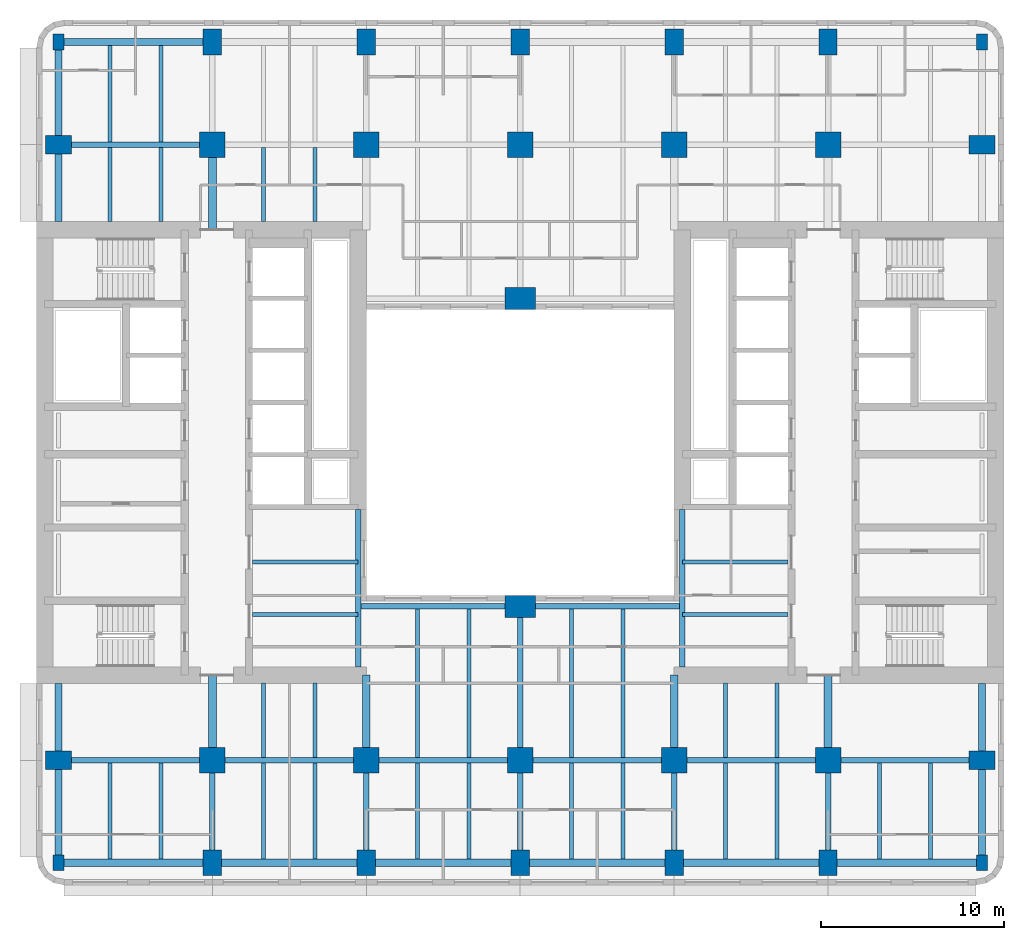
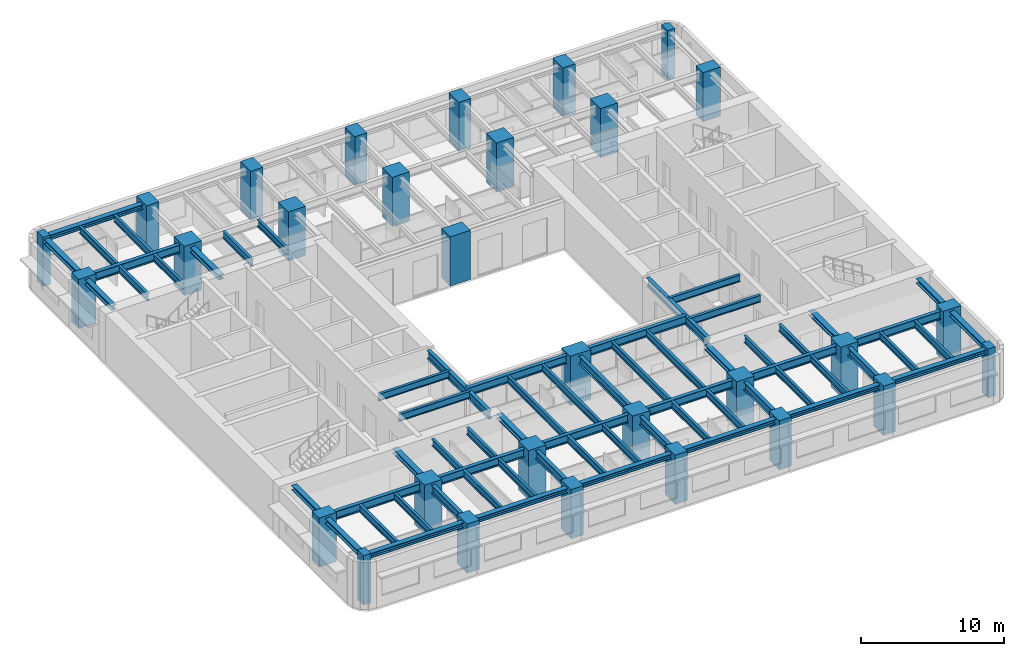
# One storey, part 1 of 11: 65 beams, 30 columns.
"""IFC4 building model written with IfcOpenShell, lengths in metres."""

from ifc_helpers import new_model, si_unit, direction, frame, origin, origin_2d, place, context, subcontext, project, spatial, rectangle, i_section, extrude, material, material_profile, profile_set, type_object, element, save


model = new_model("IFC4")

# Units and contexts
model_context = context("Model", 3, precision=1e-05, world=origin(), true_north=direction((0.0, 1.0)))
body_context = subcontext(model_context, "Body", "Model", "MODEL_VIEW")
ifc_project = project(units=[si_unit("LENGTHUNIT", "METRE"), si_unit("AREAUNIT", "SQUARE_METRE"), si_unit("VOLUMEUNIT", "CUBIC_METRE"), si_unit("PLANEANGLEUNIT", "RADIAN"), si_unit("MASSUNIT", "GRAM", prefix="KILO")], contexts=[model_context])

# Site, building, storey
site_placement = place(None, origin())
site = spatial("IfcSite", under=ifc_project, at=site_placement, CompositionType="ELEMENT")
building_placement = place(site_placement, origin())
building = spatial("IfcBuilding", under=site, at=building_placement, Name="Claustro Exchange Tower", CompositionType="ELEMENT")
storey_placement = place(building_placement, frame((0.0, 0.0, 163.800048828125)))
storey = spatial("IfcBuildingStorey", under=building, at=storey_placement, Name="L37", CompositionType="ELEMENT", Elevation=163.800048828125)

# Columns
ifc_material_1 = material(Name="Concrete HA-70 (C70/85)", Category="concrete")
ifc_material_profile_1 = material_profile(ifc_material_1, rectangle(XDim=1.39990234375, YDim=1.39990234375, at=origin_2d()), Name="RC 1400x1400")
ifc_profile_set_1 = profile_set([ifc_material_profile_1], Name="Concrete HA-70 (C70/85)")
column_type_1 = type_object("IfcColumnType", Name="C0 RC 1400x1400 HA-70 column", PredefinedType="COLUMN", material=ifc_profile_set_1)
for number, where, z_axis, x_axis, name in (
    (1, (8.39990234375, 8.39990234375, 0.0), (0.0, 0.0, 1.0), (1.0, 0.0, 0.0), "Column C0 2/B L37"),
    (2, (8.39990234375, 42.0, 0.0), (0.0, 0.0, 1.0), (1.0, 0.0, 0.0), "Column C0 2/F L37"),
    (3, (16.800048828125, 8.39990234375, 0.0), (0.0, 0.0, 1.0), (1.0, 0.0, 0.0), "Column C0 3/B L37"),
    (4, (16.800048828125, 42.0, 0.0), (0.0, 0.0, 1.0), (1.0, 0.0, 0.0), "Column C0 3/F L37"),
    (5, (25.199951171875, 8.39990234375, 0.0), (0.0, 0.0, 1.0), (1.0, 0.0, 0.0), "Column C0 4/B L37"),
    (6, (25.199951171875, 42.0, 0.0), (0.0, 0.0, 1.0), (1.0, 0.0, 0.0), "Column C0 4/F L37"),
    (7, (33.60009765625, 8.39990234375, 0.0), (0.0, 0.0, 1.0), (1.0, 0.0, 0.0), "Column C0 5/B L37"),
    (8, (33.60009765625, 42.0, 0.0), (0.0, 0.0, 1.0), (1.0, 0.0, 0.0), "Column C0 5/F L37"),
    (9, (42.0, 8.39990234375, 0.0), (0.0, 0.0, 1.0), (1.0, 0.0, 0.0), "Column C0 6/B L37"),
    (10, (42.0, 42.0, 0.0), (0.0, 0.0, 1.0), (1.0, 0.0, 0.0), "Column C0 6/F L37"),
):
    element("IfcColumn", number, at=place(storey_placement, frame(where, z_axis=z_axis, x_axis=x_axis)), inside=storey, type_object=column_type_1, Name=name, PredefinedType="COLUMN", context=body_context, shape_type="SweptSolid", body=[
        extrude(rectangle(XDim=1.39990234375, YDim=1.39990234375, at=origin_2d()), origin(), (0.0, 0.0, 1.0), 4.199951171875),
    ])
ifc_material_2 = material(Name="Concrete HA-70 (C70/85)", Category="concrete")
ifc_material_profile_2 = material_profile(ifc_material_2, rectangle(XDim=1.0, YDim=1.39990234375, at=origin_2d()), Name="RC 1000x1400")
ifc_profile_set_2 = profile_set([ifc_material_profile_2], Name="Concrete HA-70 (C70/85)")
column_type_2 = type_object("IfcColumnType", Name="C22 RC 1000x1400 HA-70 perimeter column", PredefinedType="COLUMN", material=ifc_profile_set_2)
for number, where, z_axis, x_axis, name in (
    (11, (0.0, 8.39990234375, 0.0), (0.0, 0.0, 1.0), (0.0, 1.0, 0.0), "Column C22 1/B L37"),
    (12, (0.0, 42.0, 0.0), (0.0, 0.0, 1.0), (0.0, 1.0, 0.0), "Column C22 1/F L37"),
    (13, (8.39990234375, 2.800048828125, 0.0), (0.0, 0.0, 1.0), (1.0, 0.0, 0.0), "Column C22 2/A+2800 L37"),
    (14, (8.39990234375, 47.60009765625, 0.0), (0.0, 0.0, 1.0), (1.0, 0.0, 0.0), "Column C22 2/F+5600 L37"),
    (15, (16.800048828125, 2.800048828125, 0.0), (0.0, 0.0, 1.0), (1.0, 0.0, 0.0), "Column C22 3/A+2800 L37"),
    (16, (16.800048828125, 47.60009765625, 0.0), (0.0, 0.0, 1.0), (1.0, 0.0, 0.0), "Column C22 3/F+5600 L37"),
    (17, (25.199951171875, 2.800048828125, 0.0), (0.0, 0.0, 1.0), (1.0, 0.0, 0.0), "Column C22 4/A+2800 L37"),
    (18, (25.199951171875, 47.60009765625, 0.0), (0.0, 0.0, 1.0), (1.0, 0.0, 0.0), "Column C22 4/F+5600 L37"),
    (19, (33.60009765625, 2.800048828125, 0.0), (0.0, 0.0, 1.0), (1.0, 0.0, 0.0), "Column C22 5/A+2800 L37"),
    (20, (33.60009765625, 47.60009765625, 0.0), (0.0, 0.0, 1.0), (1.0, 0.0, 0.0), "Column C22 5/F+5600 L37"),
    (21, (42.0, 2.800048828125, 0.0), (0.0, 0.0, 1.0), (1.0, 0.0, 0.0), "Column C22 6/A+2800 L37"),
    (22, (42.0, 47.60009765625, 0.0), (0.0, 0.0, 1.0), (1.0, 0.0, 0.0), "Column C22 6/F+5600 L37"),
    (23, (50.39990234375, 8.39990234375, 0.0), (0.0, 0.0, 1.0), (0.0, 1.0, 0.0), "Column C22 7/B L37"),
    (24, (50.39990234375, 42.0, 0.0), (0.0, 0.0, 1.0), (0.0, 1.0, 0.0), "Column C22 7/F L37"),
):
    element("IfcColumn", number, at=place(storey_placement, frame(where, z_axis=z_axis, x_axis=x_axis)), inside=storey, type_object=column_type_2, Name=name, PredefinedType="COLUMN", context=body_context, shape_type="SweptSolid", body=[
        extrude(rectangle(XDim=1.0, YDim=1.39990234375, at=origin_2d()), origin(), (0.0, 0.0, 1.0), 4.199951171875),
    ])
ifc_material_3 = material(Name="Concrete HA-50 (C50/60)", Category="concrete")
ifc_material_profile_3 = material_profile(ifc_material_3, rectangle(XDim=0.60009765625, YDim=0.85009765625, at=origin_2d()), Name="RC 600x850")
ifc_profile_set_3 = profile_set([ifc_material_profile_3], Name="Concrete HA-50 (C50/60)")
column_type_3 = type_object("IfcColumnType", Name="C25 RC 600x850 HA-50 corner column", PredefinedType="COLUMN", material=ifc_profile_set_3)
for number, where, z_axis, x_axis, name in (
    (25, (0.0, 2.800048828125, 0.0), (0.0, 0.0, 1.0), (1.0, 0.0, 0.0), "Column C25 1/A+2800 L37"),
    (26, (0.0, 47.60009765625, 0.0), (0.0, 0.0, 1.0), (1.0, 0.0, 0.0), "Column C25 1/F+5600 L37"),
    (27, (50.39990234375, 2.800048828125, 0.0), (0.0, 0.0, 1.0), (1.0, 0.0, 0.0), "Column C25 7/A+2800 L37"),
    (28, (50.39990234375, 47.60009765625, 0.0), (0.0, 0.0, 1.0), (1.0, 0.0, 0.0), "Column C25 7/F+5600 L37"),
):
    element("IfcColumn", number, at=place(storey_placement, frame(where, z_axis=z_axis, x_axis=x_axis)), inside=storey, type_object=column_type_3, Name=name, PredefinedType="COLUMN", context=body_context, shape_type="SweptSolid", body=[
        extrude(rectangle(XDim=0.60009765625, YDim=0.85009765625, at=origin_2d()), origin(), (0.0, 0.0, 1.0), 4.199951171875),
    ])
ifc_material_4 = material(Name="Concrete HA-70 (C70/85)", Category="concrete")
ifc_material_profile_4 = material_profile(ifc_material_4, rectangle(XDim=1.64990234375, YDim=1.199951171875, at=origin_2d()), Name="RC 1650x1200")
ifc_profile_set_4 = profile_set([ifc_material_profile_4], Name="Concrete HA-70 (C70/85)")
column_type_4 = type_object("IfcColumnType", Name="C32 RC 1650x1200 HA-70 light well column", PredefinedType="COLUMN", material=ifc_profile_set_4)
for number, where, z_axis, x_axis, name in (
    (29, (25.199951171875, 16.800048828125, 0.0), (0.0, 0.0, 1.0), (1.0, 0.0, 0.0), "Column C32 4/C L37"),
    (30, (25.199951171875, 33.60009765625, 0.0), (0.0, 0.0, 1.0), (1.0, 0.0, 0.0), "Column C32 4/E L37"),
):
    element("IfcColumn", number, at=place(storey_placement, frame(where, z_axis=z_axis, x_axis=x_axis)), inside=storey, type_object=column_type_4, Name=name, PredefinedType="COLUMN", context=body_context, shape_type="SweptSolid", body=[
        extrude(rectangle(XDim=1.64990234375, YDim=1.199951171875, at=origin_2d()), origin(), (0.0, 0.0, 1.0), 4.199951171875),
    ])

# Beams
ifc_material_5 = material(Name="Steel S355", Category="steel")
ifc_material_profile_5 = material_profile(ifc_material_5, i_section(OverallWidth=0.300048828125, OverallDepth=0.68994140625, WebThickness=0.014404296875, FlangeThickness=0.027099609375, FilletRadius=0.027099609375, at=origin_2d()), Name="HE 700 A")
ifc_profile_set_5 = profile_set([ifc_material_profile_5], Name="Steel S355")
beam_type_1 = type_object("IfcBeamType", Name="B13 HE 700 A light well edge girder", PredefinedType="BEAM", material=ifc_profile_set_5)
beam_1_placement = place(storey_placement, frame((16.35009765625, 16.800048828125, 3.655029296875), z_axis=(1.0, 0.0, 0.0), x_axis=(0.0, 1.0, 0.0)))
element("IfcBeam", 31, at=beam_1_placement, inside=storey, type_object=beam_type_1, Name="Beam B13 L38", PredefinedType="BEAM", context=body_context, shape_type="SweptSolid", body=[
    extrude(i_section(OverallWidth=0.300048828125, OverallDepth=0.68994140625, WebThickness=0.014404296875, FlangeThickness=0.027099609375, FilletRadius=0.027099609375, at=origin_2d()), origin(), (0.0, 0.0, 1.0), 8.849853515625),
])
beam_2_placement = place(storey_placement, frame((25.199951171875, 16.800048828125, 3.655029296875), z_axis=(1.0, 0.0, 0.0), x_axis=(0.0, 1.0, 0.0)))
element("IfcBeam", 32, at=beam_2_placement, inside=storey, type_object=beam_type_1, Name="Beam B13 L38", PredefinedType="BEAM", context=body_context, shape_type="SweptSolid", body=[
    extrude(i_section(OverallWidth=0.300048828125, OverallDepth=0.68994140625, WebThickness=0.014404296875, FlangeThickness=0.027099609375, FilletRadius=0.027099609375, at=origin_2d()), origin(), (0.0, 0.0, 1.0), 8.85009765625),
])
ifc_material_6 = material(Name="Steel S355", Category="steel")
ifc_material_profile_6 = material_profile(ifc_material_6, i_section(OverallWidth=0.300048828125, OverallDepth=0.699951171875, WebThickness=0.01708984375, FlangeThickness=0.031982421875, FilletRadius=0.027099609375, at=origin_2d()), Name="HE 700 B")
ifc_profile_set_6 = profile_set([ifc_material_profile_6], Name="Steel S355")
beam_type_2 = type_object("IfcBeamType", Name="B4 HE 700 B floor girder", PredefinedType="BEAM", material=ifc_profile_set_6)
for number, where, z_axis, x_axis, name in (
    (33, (8.39990234375, 2.800048828125, 3.64990234375), (0.0, 1.0, 0.0), (-1.0, 0.0, 0.0), "Beam B4 L38"),
    (34, (16.800048828125, 2.800048828125, 3.64990234375), (0.0, 1.0, 0.0), (-1.0, 0.0, 0.0), "Beam B4 L38"),
    (35, (25.199951171875, 2.800048828125, 3.64990234375), (0.0, 1.0, 0.0), (-1.0, 0.0, 0.0), "Beam B4 L38"),
):
    element("IfcBeam", number, at=place(storey_placement, frame(where, z_axis=z_axis, x_axis=x_axis)), inside=storey, type_object=beam_type_2, Name=name, PredefinedType="BEAM", context=body_context, shape_type="SweptSolid", body=[
        extrude(i_section(OverallWidth=0.300048828125, OverallDepth=0.699951171875, WebThickness=0.01708984375, FlangeThickness=0.031982421875, FilletRadius=0.027099609375, at=origin_2d()), origin(), (0.0, 0.0, 1.0), 5.599853515625),
    ])
beam_3_placement = place(storey_placement, frame((25.199951171875, 8.39990234375, 3.64990234375), z_axis=(0.0, 1.0, 0.0), x_axis=(-1.0, 0.0, 0.0)))
element("IfcBeam", 36, at=beam_3_placement, inside=storey, type_object=beam_type_2, Name="Beam B4 L38", PredefinedType="BEAM", context=body_context, shape_type="SweptSolid", body=[
    extrude(i_section(OverallWidth=0.300048828125, OverallDepth=0.699951171875, WebThickness=0.01708984375, FlangeThickness=0.031982421875, FilletRadius=0.027099609375, at=origin_2d()), origin(), (0.0, 0.0, 1.0), 8.400146484375),
])
for number, where, z_axis, x_axis, name in (
    (37, (33.60009765625, 2.800048828125, 3.64990234375), (0.0, 1.0, 0.0), (-1.0, 0.0, 0.0), "Beam B4 L38"),
    (38, (42.0, 2.800048828125, 3.64990234375), (0.0, 1.0, 0.0), (-1.0, 0.0, 0.0), "Beam B4 L38"),
):
    element("IfcBeam", number, at=place(storey_placement, frame(where, z_axis=z_axis, x_axis=x_axis)), inside=storey, type_object=beam_type_2, Name=name, PredefinedType="BEAM", context=body_context, shape_type="SweptSolid", body=[
        extrude(i_section(OverallWidth=0.300048828125, OverallDepth=0.699951171875, WebThickness=0.01708984375, FlangeThickness=0.031982421875, FilletRadius=0.027099609375, at=origin_2d()), origin(), (0.0, 0.0, 1.0), 5.599853515625),
    ])
beam_4_placement = place(storey_placement, frame((0.0, 8.39990234375, 3.64990234375), z_axis=(1.0, 0.0, 0.0), x_axis=(0.0, 1.0, 0.0)))
element("IfcBeam", 39, at=beam_4_placement, inside=storey, type_object=beam_type_2, Name="Beam B4 L38", PredefinedType="BEAM", context=body_context, shape_type="SweptSolid", body=[
    extrude(i_section(OverallWidth=0.300048828125, OverallDepth=0.699951171875, WebThickness=0.01708984375, FlangeThickness=0.031982421875, FilletRadius=0.027099609375, at=origin_2d()), origin(), (0.0, 0.0, 1.0), 8.39990234375),
])
beam_5_placement = place(storey_placement, frame((8.39990234375, 8.39990234375, 3.64990234375), z_axis=(1.0, 0.0, 0.0), x_axis=(0.0, 1.0, 0.0)))
element("IfcBeam", 40, at=beam_5_placement, inside=storey, type_object=beam_type_2, Name="Beam B4 L38", PredefinedType="BEAM", context=body_context, shape_type="SweptSolid", body=[
    extrude(i_section(OverallWidth=0.300048828125, OverallDepth=0.699951171875, WebThickness=0.01708984375, FlangeThickness=0.031982421875, FilletRadius=0.027099609375, at=origin_2d()), origin(), (0.0, 0.0, 1.0), 8.400146484375),
])
beam_6_placement = place(storey_placement, frame((16.800048828125, 8.39990234375, 3.64990234375), z_axis=(1.0, 0.0, 0.0), x_axis=(0.0, 1.0, 0.0)))
element("IfcBeam", 41, at=beam_6_placement, inside=storey, type_object=beam_type_2, Name="Beam B4 L38", PredefinedType="BEAM", context=body_context, shape_type="SweptSolid", body=[
    extrude(i_section(OverallWidth=0.300048828125, OverallDepth=0.699951171875, WebThickness=0.01708984375, FlangeThickness=0.031982421875, FilletRadius=0.027099609375, at=origin_2d()), origin(), (0.0, 0.0, 1.0), 8.39990234375),
])
beam_7_placement = place(storey_placement, frame((25.199951171875, 8.39990234375, 3.64990234375), z_axis=(1.0, 0.0, 0.0), x_axis=(0.0, 1.0, 0.0)))
element("IfcBeam", 42, at=beam_7_placement, inside=storey, type_object=beam_type_2, Name="Beam B4 L38", PredefinedType="BEAM", context=body_context, shape_type="SweptSolid", body=[
    extrude(i_section(OverallWidth=0.300048828125, OverallDepth=0.699951171875, WebThickness=0.01708984375, FlangeThickness=0.031982421875, FilletRadius=0.027099609375, at=origin_2d()), origin(), (0.0, 0.0, 1.0), 8.400146484375),
])
for number, where, z_axis, x_axis, name in (
    (43, (33.60009765625, 8.39990234375, 3.64990234375), (1.0, 0.0, 0.0), (0.0, 1.0, 0.0), "Beam B4 L38"),
    (44, (42.0, 8.39990234375, 3.64990234375), (1.0, 0.0, 0.0), (0.0, 1.0, 0.0), "Beam B4 L38"),
    (45, (0.0, 42.0, 3.64990234375), (1.0, 0.0, 0.0), (0.0, 1.0, 0.0), "Beam B4 L38"),
):
    element("IfcBeam", number, at=place(storey_placement, frame(where, z_axis=z_axis, x_axis=x_axis)), inside=storey, type_object=beam_type_2, Name=name, PredefinedType="BEAM", context=body_context, shape_type="SweptSolid", body=[
        extrude(i_section(OverallWidth=0.300048828125, OverallDepth=0.699951171875, WebThickness=0.01708984375, FlangeThickness=0.031982421875, FilletRadius=0.027099609375, at=origin_2d()), origin(), (0.0, 0.0, 1.0), 8.39990234375),
    ])
for number, where, z_axis, x_axis, name in (
    (46, (16.35009765625, 13.5, 3.64990234375), (0.0, 1.0, 0.0), (-1.0, 0.0, 0.0), "Beam B4 core step framing L38"),
    (47, (34.050048828125, 13.5, 3.64990234375), (0.0, 1.0, 0.0), (-1.0, 0.0, 0.0), "Beam B4 core step framing L38"),
):
    element("IfcBeam", number, at=place(storey_placement, frame(where, z_axis=z_axis, x_axis=x_axis)), inside=storey, type_object=beam_type_2, Name=name, PredefinedType="BEAM", context=body_context, shape_type="SweptSolid", body=[
        extrude(i_section(OverallWidth=0.300048828125, OverallDepth=0.699951171875, WebThickness=0.01708984375, FlangeThickness=0.031982421875, FilletRadius=0.027099609375, at=origin_2d()), origin(), (0.0, 0.0, 1.0), 8.60009765625),
    ])
ifc_material_7 = material(Name="Steel S355", Category="steel")
ifc_material_profile_7 = material_profile(ifc_material_7, i_section(OverallWidth=0.219970703125, OverallDepth=0.60009765625, WebThickness=0.011962890625, FlangeThickness=0.01904296875, FilletRadius=0.02392578125, at=origin_2d()), Name="IPE 600")
ifc_profile_set_7 = profile_set([ifc_material_profile_7], Name="Steel S355")
beam_type_3 = type_object("IfcBeamType", Name="B5 IPE 600 secondary beam", PredefinedType="BEAM", material=ifc_profile_set_7)
for number, where, z_axis, x_axis, name in (
    (48, (2.800048828125, 3.001953125, 3.699951171875), (0.0, 1.0, 0.0), (-1.0, 0.0, 0.0), "Beam B5 L38"),
    (49, (5.60009765625, 3.001953125, 3.699951171875), (0.0, 1.0, 0.0), (-1.0, 0.0, 0.0), "Beam B5 L38"),
):
    element("IfcBeam", number, at=place(storey_placement, frame(where, z_axis=z_axis, x_axis=x_axis)), inside=storey, type_object=beam_type_3, Name=name, PredefinedType="BEAM", context=body_context, shape_type="SweptSolid", body=[
        extrude(i_section(OverallWidth=0.219970703125, OverallDepth=0.60009765625, WebThickness=0.011962890625, FlangeThickness=0.01904296875, FilletRadius=0.02392578125, at=origin_2d()), origin(), (0.0, 0.0, 1.0), 5.248046875),
    ])
for number, where, z_axis, x_axis, name in (
    (50, (2.800048828125, 37.7900390625, 3.699951171875), (0.0, 1.0, 0.0), (-1.0, 0.0, 0.0), "Beam B5 L38"),
    (51, (5.60009765625, 37.7900390625, 3.699951171875), (0.0, 1.0, 0.0), (-1.0, 0.0, 0.0), "Beam B5 L38"),
):
    element("IfcBeam", number, at=place(storey_placement, frame(where, z_axis=z_axis, x_axis=x_axis)), inside=storey, type_object=beam_type_3, Name=name, PredefinedType="BEAM", context=body_context, shape_type="SweptSolid", body=[
        extrude(i_section(OverallWidth=0.219970703125, OverallDepth=0.60009765625, WebThickness=0.011962890625, FlangeThickness=0.01904296875, FilletRadius=0.02392578125, at=origin_2d()), origin(), (0.0, 0.0, 1.0), 4.06005859375),
    ])
for number, where, z_axis, x_axis, name in (
    (52, (2.800048828125, 42.14990234375, 3.699951171875), (0.0, 1.0, 0.0), (-1.0, 0.0, 0.0), "Beam B5 L38"),
    (53, (5.60009765625, 42.14990234375, 3.699951171875), (0.0, 1.0, 0.0), (-1.0, 0.0, 0.0), "Beam B5 L38"),
    (54, (11.199951171875, 3.001953125, 3.699951171875), (0.0, 1.0, 0.0), (-1.0, 0.0, 0.0), "Beam B5 L38"),
    (55, (14.0, 3.001953125, 3.699951171875), (0.0, 1.0, 0.0), (-1.0, 0.0, 0.0), "Beam B5 L38"),
):
    element("IfcBeam", number, at=place(storey_placement, frame(where, z_axis=z_axis, x_axis=x_axis)), inside=storey, type_object=beam_type_3, Name=name, PredefinedType="BEAM", context=body_context, shape_type="SweptSolid", body=[
        extrude(i_section(OverallWidth=0.219970703125, OverallDepth=0.60009765625, WebThickness=0.011962890625, FlangeThickness=0.01904296875, FilletRadius=0.02392578125, at=origin_2d()), origin(), (0.0, 0.0, 1.0), 5.248046875),
    ])
for number, where, z_axis, x_axis, name in (
    (56, (11.199951171875, 8.550048828125, 3.699951171875), (0.0, 1.0, 0.0), (-1.0, 0.0, 0.0), "Beam B5 L38"),
    (57, (14.0, 8.550048828125, 3.699951171875), (0.0, 1.0, 0.0), (-1.0, 0.0, 0.0), "Beam B5 L38"),
    (58, (11.199951171875, 37.7900390625, 3.699951171875), (0.0, 1.0, 0.0), (-1.0, 0.0, 0.0), "Beam B5 L38"),
    (59, (14.0, 37.7900390625, 3.699951171875), (0.0, 1.0, 0.0), (-1.0, 0.0, 0.0), "Beam B5 L38"),
):
    element("IfcBeam", number, at=place(storey_placement, frame(where, z_axis=z_axis, x_axis=x_axis)), inside=storey, type_object=beam_type_3, Name=name, PredefinedType="BEAM", context=body_context, shape_type="SweptSolid", body=[
        extrude(i_section(OverallWidth=0.219970703125, OverallDepth=0.60009765625, WebThickness=0.011962890625, FlangeThickness=0.01904296875, FilletRadius=0.02392578125, at=origin_2d()), origin(), (0.0, 0.0, 1.0), 4.06005859375),
    ])
for number, where, z_axis, x_axis, name in (
    (60, (19.60009765625, 3.001953125, 3.699951171875), (0.0, 1.0, 0.0), (-1.0, 0.0, 0.0), "Beam B5 L38"),
    (61, (22.39990234375, 3.001953125, 3.699951171875), (0.0, 1.0, 0.0), (-1.0, 0.0, 0.0), "Beam B5 L38"),
):
    element("IfcBeam", number, at=place(storey_placement, frame(where, z_axis=z_axis, x_axis=x_axis)), inside=storey, type_object=beam_type_3, Name=name, PredefinedType="BEAM", context=body_context, shape_type="SweptSolid", body=[
        extrude(i_section(OverallWidth=0.219970703125, OverallDepth=0.60009765625, WebThickness=0.011962890625, FlangeThickness=0.01904296875, FilletRadius=0.02392578125, at=origin_2d()), origin(), (0.0, 0.0, 1.0), 5.248046875),
    ])
for number, where, z_axis, x_axis, name in (
    (62, (19.60009765625, 8.550048828125, 3.699951171875), (0.0, 1.0, 0.0), (-1.0, 0.0, 0.0), "Beam B5 L38"),
    (63, (22.39990234375, 8.550048828125, 3.699951171875), (0.0, 1.0, 0.0), (-1.0, 0.0, 0.0), "Beam B5 L38"),
):
    element("IfcBeam", number, at=place(storey_placement, frame(where, z_axis=z_axis, x_axis=x_axis)), inside=storey, type_object=beam_type_3, Name=name, PredefinedType="BEAM", context=body_context, shape_type="SweptSolid", body=[
        extrude(i_section(OverallWidth=0.219970703125, OverallDepth=0.60009765625, WebThickness=0.011962890625, FlangeThickness=0.01904296875, FilletRadius=0.02392578125, at=origin_2d()), origin(), (0.0, 0.0, 1.0), 8.099853515625),
    ])
for number, where, z_axis, x_axis, name in (
    (64, (28.0, 3.001953125, 3.699951171875), (0.0, 1.0, 0.0), (-1.0, 0.0, 0.0), "Beam B5 L38"),
    (65, (30.800048828125, 3.001953125, 3.699951171875), (0.0, 1.0, 0.0), (-1.0, 0.0, 0.0), "Beam B5 L38"),
):
    element("IfcBeam", number, at=place(storey_placement, frame(where, z_axis=z_axis, x_axis=x_axis)), inside=storey, type_object=beam_type_3, Name=name, PredefinedType="BEAM", context=body_context, shape_type="SweptSolid", body=[
        extrude(i_section(OverallWidth=0.219970703125, OverallDepth=0.60009765625, WebThickness=0.011962890625, FlangeThickness=0.01904296875, FilletRadius=0.02392578125, at=origin_2d()), origin(), (0.0, 0.0, 1.0), 5.248046875),
    ])
for number, where, z_axis, x_axis, name in (
    (66, (28.0, 8.550048828125, 3.699951171875), (0.0, 1.0, 0.0), (-1.0, 0.0, 0.0), "Beam B5 L38"),
    (67, (30.800048828125, 8.550048828125, 3.699951171875), (0.0, 1.0, 0.0), (-1.0, 0.0, 0.0), "Beam B5 L38"),
):
    element("IfcBeam", number, at=place(storey_placement, frame(where, z_axis=z_axis, x_axis=x_axis)), inside=storey, type_object=beam_type_3, Name=name, PredefinedType="BEAM", context=body_context, shape_type="SweptSolid", body=[
        extrude(i_section(OverallWidth=0.219970703125, OverallDepth=0.60009765625, WebThickness=0.011962890625, FlangeThickness=0.01904296875, FilletRadius=0.02392578125, at=origin_2d()), origin(), (0.0, 0.0, 1.0), 8.099853515625),
    ])
for number, where, z_axis, x_axis, name in (
    (68, (36.39990234375, 3.001953125, 3.699951171875), (0.0, 1.0, 0.0), (-1.0, 0.0, 0.0), "Beam B5 L38"),
    (69, (39.199951171875, 3.001953125, 3.699951171875), (0.0, 1.0, 0.0), (-1.0, 0.0, 0.0), "Beam B5 L38"),
):
    element("IfcBeam", number, at=place(storey_placement, frame(where, z_axis=z_axis, x_axis=x_axis)), inside=storey, type_object=beam_type_3, Name=name, PredefinedType="BEAM", context=body_context, shape_type="SweptSolid", body=[
        extrude(i_section(OverallWidth=0.219970703125, OverallDepth=0.60009765625, WebThickness=0.011962890625, FlangeThickness=0.01904296875, FilletRadius=0.02392578125, at=origin_2d()), origin(), (0.0, 0.0, 1.0), 5.248046875),
    ])
for number, where, z_axis, x_axis, name in (
    (70, (36.39990234375, 8.550048828125, 3.699951171875), (0.0, 1.0, 0.0), (-1.0, 0.0, 0.0), "Beam B5 L38"),
    (71, (39.199951171875, 8.550048828125, 3.699951171875), (0.0, 1.0, 0.0), (-1.0, 0.0, 0.0), "Beam B5 L38"),
):
    element("IfcBeam", number, at=place(storey_placement, frame(where, z_axis=z_axis, x_axis=x_axis)), inside=storey, type_object=beam_type_3, Name=name, PredefinedType="BEAM", context=body_context, shape_type="SweptSolid", body=[
        extrude(i_section(OverallWidth=0.219970703125, OverallDepth=0.60009765625, WebThickness=0.011962890625, FlangeThickness=0.01904296875, FilletRadius=0.02392578125, at=origin_2d()), origin(), (0.0, 0.0, 1.0), 4.06005859375),
    ])
for number, where, z_axis, x_axis, name in (
    (72, (44.800048828125, 3.001953125, 3.699951171875), (0.0, 1.0, 0.0), (-1.0, 0.0, 0.0), "Beam B5 L38"),
    (73, (47.60009765625, 3.001953125, 3.699951171875), (0.0, 1.0, 0.0), (-1.0, 0.0, 0.0), "Beam B5 L38"),
):
    element("IfcBeam", number, at=place(storey_placement, frame(where, z_axis=z_axis, x_axis=x_axis)), inside=storey, type_object=beam_type_3, Name=name, PredefinedType="BEAM", context=body_context, shape_type="SweptSolid", body=[
        extrude(i_section(OverallWidth=0.219970703125, OverallDepth=0.60009765625, WebThickness=0.011962890625, FlangeThickness=0.01904296875, FilletRadius=0.02392578125, at=origin_2d()), origin(), (0.0, 0.0, 1.0), 5.248046875),
    ])
for number, where, z_axis, x_axis, name in (
    (74, (10.60009765625, 16.36669921875, 3.699951171875), (1.0, 0.0, 0.0), (0.0, 1.0, 0.0), "Beam B5 core step framing L38"),
    (75, (10.60009765625, 19.2333984375, 3.699951171875), (1.0, 0.0, 0.0), (0.0, 1.0, 0.0), "Beam B5 core step framing L38"),
    (76, (34.050048828125, 16.36669921875, 3.699951171875), (1.0, 0.0, 0.0), (0.0, 1.0, 0.0), "Beam B5 core step framing L38"),
    (77, (34.050048828125, 19.2333984375, 3.699951171875), (1.0, 0.0, 0.0), (0.0, 1.0, 0.0), "Beam B5 core step framing L38"),
):
    element("IfcBeam", number, at=place(storey_placement, frame(where, z_axis=z_axis, x_axis=x_axis)), inside=storey, type_object=beam_type_3, Name=name, PredefinedType="BEAM", context=body_context, shape_type="SweptSolid", body=[
        extrude(i_section(OverallWidth=0.219970703125, OverallDepth=0.60009765625, WebThickness=0.011962890625, FlangeThickness=0.01904296875, FilletRadius=0.02392578125, at=origin_2d()), origin(), (0.0, 0.0, 1.0), 5.75),
    ])
ifc_material_8 = material(Name="Steel S460", Category="steel")
ifc_material_profile_8 = material_profile(ifc_material_8, i_section(OverallWidth=0.404052734375, OverallDepth=0.406982421875, WebThickness=0.027099609375, FlangeThickness=0.043701171875, FilletRadius=0.014892578125, at=origin_2d()), Name="HD 400x347")
ifc_profile_set_8 = profile_set([ifc_material_profile_8], Name="Steel S460")
beam_type_4 = type_object("IfcBeamType", Name="BT3 HD 400x347 belt truss chord", PredefinedType="BEAM", material=ifc_profile_set_8)
beam_8_placement = place(storey_placement, frame((0.0, 2.800048828125, 3.79638671875), z_axis=(0.0, 1.0, 0.0), x_axis=(-1.0, 0.0, 0.0)))
element("IfcBeam", 78, at=beam_8_placement, inside=storey, type_object=beam_type_4, Name="Beam BT3 L38", PredefinedType="BEAM", context=body_context, shape_type="SweptSolid", body=[
    extrude(i_section(OverallWidth=0.404052734375, OverallDepth=0.406982421875, WebThickness=0.027099609375, FlangeThickness=0.043701171875, FilletRadius=0.014892578125, at=origin_2d()), origin(), (0.0, 0.0, 1.0), 5.599853515625),
])
beam_9_placement = place(storey_placement, frame((0.0, 8.39990234375, 3.79638671875), z_axis=(0.0, 1.0, 0.0), x_axis=(-1.0, 0.0, 0.0)))
element("IfcBeam", 79, at=beam_9_placement, inside=storey, type_object=beam_type_4, Name="Beam BT3 L38", PredefinedType="BEAM", context=body_context, shape_type="SweptSolid", body=[
    extrude(i_section(OverallWidth=0.404052734375, OverallDepth=0.406982421875, WebThickness=0.027099609375, FlangeThickness=0.043701171875, FilletRadius=0.014892578125, at=origin_2d()), origin(), (0.0, 0.0, 1.0), 4.2001953125),
])
beam_10_placement = place(storey_placement, frame((0.0, 37.800048828125, 3.79638671875), z_axis=(0.0, 1.0, 0.0), x_axis=(-1.0, 0.0, 0.0)))
element("IfcBeam", 80, at=beam_10_placement, inside=storey, type_object=beam_type_4, Name="Beam BT3 L38", PredefinedType="BEAM", context=body_context, shape_type="SweptSolid", body=[
    extrude(i_section(OverallWidth=0.404052734375, OverallDepth=0.406982421875, WebThickness=0.027099609375, FlangeThickness=0.043701171875, FilletRadius=0.014892578125, at=origin_2d()), origin(), (0.0, 0.0, 1.0), 4.199951171875),
])
beam_11_placement = place(storey_placement, frame((0.0, 42.0, 3.79638671875), z_axis=(0.0, 1.0, 0.0), x_axis=(-1.0, 0.0, 0.0)))
element("IfcBeam", 81, at=beam_11_placement, inside=storey, type_object=beam_type_4, Name="Beam BT3 L38", PredefinedType="BEAM", context=body_context, shape_type="SweptSolid", body=[
    extrude(i_section(OverallWidth=0.404052734375, OverallDepth=0.406982421875, WebThickness=0.027099609375, FlangeThickness=0.043701171875, FilletRadius=0.014892578125, at=origin_2d()), origin(), (0.0, 0.0, 1.0), 5.60009765625),
])
beam_12_placement = place(storey_placement, frame((50.39990234375, 2.800048828125, 3.79638671875), z_axis=(0.0, 1.0, 0.0), x_axis=(-1.0, 0.0, 0.0)))
element("IfcBeam", 82, at=beam_12_placement, inside=storey, type_object=beam_type_4, Name="Beam BT3 L38", PredefinedType="BEAM", context=body_context, shape_type="SweptSolid", body=[
    extrude(i_section(OverallWidth=0.404052734375, OverallDepth=0.406982421875, WebThickness=0.027099609375, FlangeThickness=0.043701171875, FilletRadius=0.014892578125, at=origin_2d()), origin(), (0.0, 0.0, 1.0), 5.599853515625),
])
beam_13_placement = place(storey_placement, frame((50.39990234375, 8.39990234375, 3.79638671875), z_axis=(0.0, 1.0, 0.0), x_axis=(-1.0, 0.0, 0.0)))
element("IfcBeam", 83, at=beam_13_placement, inside=storey, type_object=beam_type_4, Name="Beam BT3 L38", PredefinedType="BEAM", context=body_context, shape_type="SweptSolid", body=[
    extrude(i_section(OverallWidth=0.404052734375, OverallDepth=0.406982421875, WebThickness=0.027099609375, FlangeThickness=0.043701171875, FilletRadius=0.014892578125, at=origin_2d()), origin(), (0.0, 0.0, 1.0), 4.2001953125),
])
beam_14_placement = place(storey_placement, frame((0.0, 2.800048828125, 3.79638671875), z_axis=(1.0, 0.0, 0.0), x_axis=(0.0, 1.0, 0.0)))
element("IfcBeam", 84, at=beam_14_placement, inside=storey, type_object=beam_type_4, Name="Beam BT3 L38", PredefinedType="BEAM", context=body_context, shape_type="SweptSolid", body=[
    extrude(i_section(OverallWidth=0.404052734375, OverallDepth=0.406982421875, WebThickness=0.027099609375, FlangeThickness=0.043701171875, FilletRadius=0.014892578125, at=origin_2d()), origin(), (0.0, 0.0, 1.0), 8.39990234375),
])
beam_15_placement = place(storey_placement, frame((8.39990234375, 2.800048828125, 3.79638671875), z_axis=(1.0, 0.0, 0.0), x_axis=(0.0, 1.0, 0.0)))
element("IfcBeam", 85, at=beam_15_placement, inside=storey, type_object=beam_type_4, Name="Beam BT3 L38", PredefinedType="BEAM", context=body_context, shape_type="SweptSolid", body=[
    extrude(i_section(OverallWidth=0.404052734375, OverallDepth=0.406982421875, WebThickness=0.027099609375, FlangeThickness=0.043701171875, FilletRadius=0.014892578125, at=origin_2d()), origin(), (0.0, 0.0, 1.0), 8.400146484375),
])
beam_16_placement = place(storey_placement, frame((16.800048828125, 2.800048828125, 3.79638671875), z_axis=(1.0, 0.0, 0.0), x_axis=(0.0, 1.0, 0.0)))
element("IfcBeam", 86, at=beam_16_placement, inside=storey, type_object=beam_type_4, Name="Beam BT3 L38", PredefinedType="BEAM", context=body_context, shape_type="SweptSolid", body=[
    extrude(i_section(OverallWidth=0.404052734375, OverallDepth=0.406982421875, WebThickness=0.027099609375, FlangeThickness=0.043701171875, FilletRadius=0.014892578125, at=origin_2d()), origin(), (0.0, 0.0, 1.0), 8.39990234375),
])
beam_17_placement = place(storey_placement, frame((25.199951171875, 2.800048828125, 3.79638671875), z_axis=(1.0, 0.0, 0.0), x_axis=(0.0, 1.0, 0.0)))
element("IfcBeam", 87, at=beam_17_placement, inside=storey, type_object=beam_type_4, Name="Beam BT3 L38", PredefinedType="BEAM", context=body_context, shape_type="SweptSolid", body=[
    extrude(i_section(OverallWidth=0.404052734375, OverallDepth=0.406982421875, WebThickness=0.027099609375, FlangeThickness=0.043701171875, FilletRadius=0.014892578125, at=origin_2d()), origin(), (0.0, 0.0, 1.0), 8.400146484375),
])
for number, where, z_axis, x_axis, name in (
    (88, (33.60009765625, 2.800048828125, 3.79638671875), (1.0, 0.0, 0.0), (0.0, 1.0, 0.0), "Beam BT3 L38"),
    (89, (42.0, 2.800048828125, 3.79638671875), (1.0, 0.0, 0.0), (0.0, 1.0, 0.0), "Beam BT3 L38"),
    (90, (0.0, 47.60009765625, 3.79638671875), (1.0, 0.0, 0.0), (0.0, 1.0, 0.0), "Beam BT3 L38"),
):
    element("IfcBeam", number, at=place(storey_placement, frame(where, z_axis=z_axis, x_axis=x_axis)), inside=storey, type_object=beam_type_4, Name=name, PredefinedType="BEAM", context=body_context, shape_type="SweptSolid", body=[
        extrude(i_section(OverallWidth=0.404052734375, OverallDepth=0.406982421875, WebThickness=0.027099609375, FlangeThickness=0.043701171875, FilletRadius=0.014892578125, at=origin_2d()), origin(), (0.0, 0.0, 1.0), 8.39990234375),
    ])
ifc_material_9 = material(Name="Steel S460", Category="steel")
ifc_material_profile_9 = material_profile(ifc_material_9, i_section(OverallWidth=0.422119140625, OverallDepth=0.425048828125, WebThickness=0.035888671875, FlangeThickness=0.05810546875, FilletRadius=0.014892578125, at=origin_2d()), Name="HD 400x463")
ifc_profile_set_9 = profile_set([ifc_material_profile_9], Name="Steel S460")
beam_type_5 = type_object("IfcBeamType", Name="OT3 HD 400x463 OUTRIGGER truss chord", PredefinedType="BEAM", material=ifc_profile_set_9)
beam_18_placement = place(storey_placement, frame((8.39990234375, 8.39990234375, 3.737548828125), z_axis=(0.0, 1.0, 0.0), x_axis=(-1.0, 0.0, 0.0)))
element("IfcBeam", 91, at=beam_18_placement, inside=storey, type_object=beam_type_5, Name="Beam OT3 L38", PredefinedType="BEAM", context=body_context, shape_type="SweptSolid", body=[
    extrude(i_section(OverallWidth=0.422119140625, OverallDepth=0.425048828125, WebThickness=0.035888671875, FlangeThickness=0.05810546875, FilletRadius=0.014892578125, at=origin_2d()), origin(), (0.0, 0.0, 1.0), 4.650146484375),
])
beam_19_placement = place(storey_placement, frame((8.39990234375, 37.35009765625, 3.737548828125), z_axis=(0.0, 1.0, 0.0), x_axis=(-1.0, 0.0, 0.0)))
element("IfcBeam", 92, at=beam_19_placement, inside=storey, type_object=beam_type_5, Name="Beam OT3 L38", PredefinedType="BEAM", context=body_context, shape_type="SweptSolid", body=[
    extrude(i_section(OverallWidth=0.422119140625, OverallDepth=0.425048828125, WebThickness=0.035888671875, FlangeThickness=0.05810546875, FilletRadius=0.014892578125, at=origin_2d()), origin(), (0.0, 0.0, 1.0), 4.64990234375),
])
for number, where, z_axis, x_axis, name in (
    (93, (16.800048828125, 8.39990234375, 3.737548828125), (0.0, 1.0, 0.0), (-1.0, 0.0, 0.0), "Beam OT3 L38"),
    (94, (33.60009765625, 8.39990234375, 3.737548828125), (0.0, 1.0, 0.0), (-1.0, 0.0, 0.0), "Beam OT3 L38"),
    (95, (42.0, 8.39990234375, 3.737548828125), (0.0, 1.0, 0.0), (-1.0, 0.0, 0.0), "Beam OT3 L38"),
):
    element("IfcBeam", number, at=place(storey_placement, frame(where, z_axis=z_axis, x_axis=x_axis)), inside=storey, type_object=beam_type_5, Name=name, PredefinedType="BEAM", context=body_context, shape_type="SweptSolid", body=[
        extrude(i_section(OverallWidth=0.422119140625, OverallDepth=0.425048828125, WebThickness=0.035888671875, FlangeThickness=0.05810546875, FilletRadius=0.014892578125, at=origin_2d()), origin(), (0.0, 0.0, 1.0), 4.650146484375),
    ])

save(model, "model.ifc")
